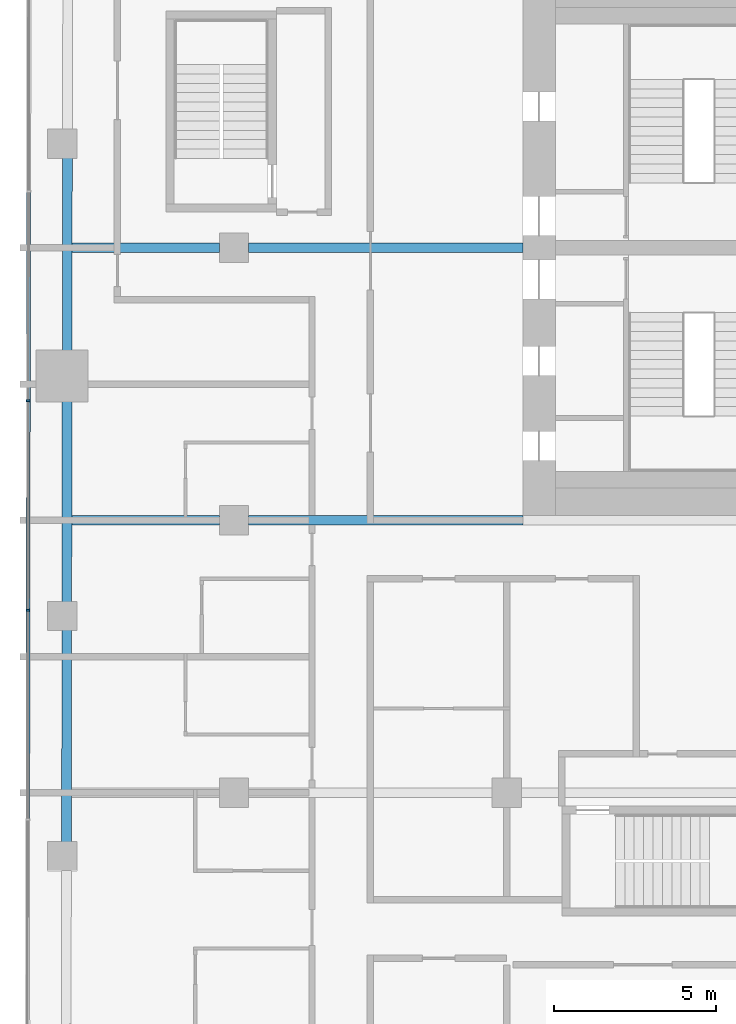
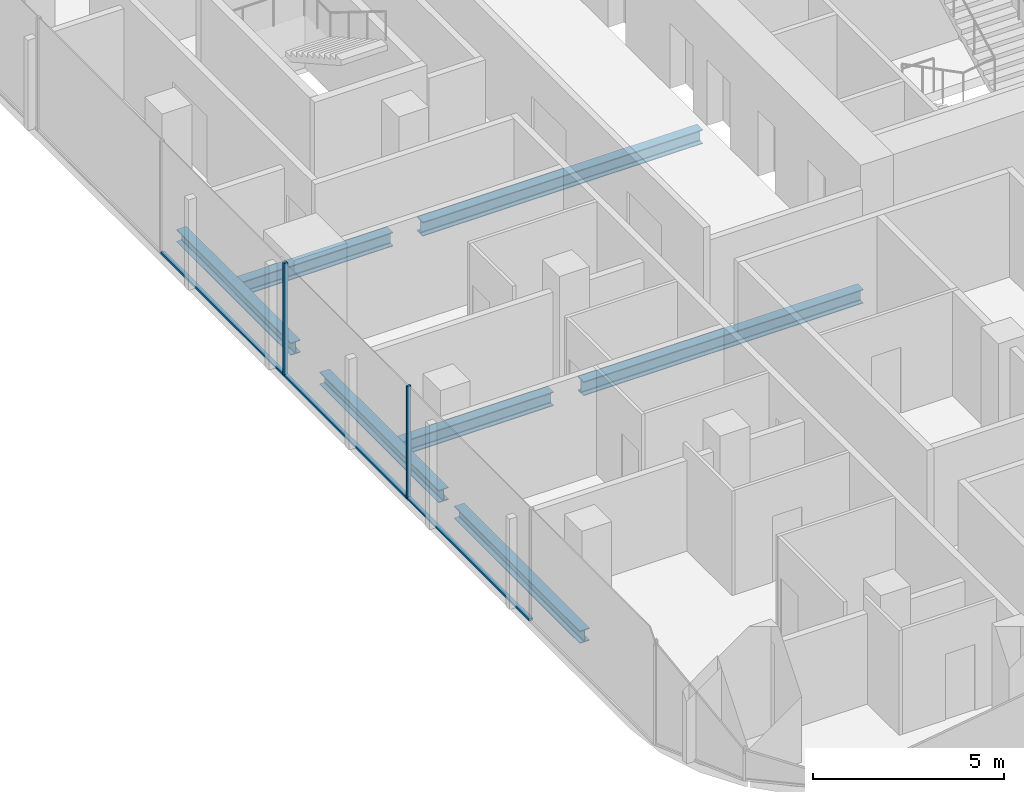
# One storey, part 4 of 23: 7 beams, 5 members, 1 element without a shape of its own.
"""IFC4 building model written with IfcOpenShell, lengths in metres."""

from ifc_helpers import new_model, si_unit, direction, frame, origin, origin_2d, place, context, subcontext, project, spatial, rectangle, i_section, extrude, material, layer, layer_set, material_profile, profile_set, type_object, element, aggregate, save


model = new_model("IFC4")

# Units and contexts
model_context = context("Model", 3, precision=1e-05, world=origin(), true_north=direction((0.0, 1.0)))
body_context = subcontext(model_context, "Body", "Model", "MODEL_VIEW")
ifc_project = project(units=[si_unit("LENGTHUNIT", "METRE"), si_unit("AREAUNIT", "SQUARE_METRE"), si_unit("VOLUMEUNIT", "CUBIC_METRE"), si_unit("PLANEANGLEUNIT", "RADIAN"), si_unit("MASSUNIT", "GRAM", prefix="KILO")], contexts=[model_context])

# Site, building, storey
site_placement = place(None, origin())
site = spatial("IfcSite", under=ifc_project, at=site_placement, CompositionType="ELEMENT")
building_placement = place(site_placement, origin())
building = spatial("IfcBuilding", under=site, at=building_placement, Name="Marenta Gate Hotel Tower", CompositionType="ELEMENT")
storey_placement = place(building_placement, frame((0.0, 0.0, 140.89990234375)))
storey = spatial("IfcBuildingStorey", under=building, at=storey_placement, Name="L32", CompositionType="ELEMENT", Elevation=140.89990234375)

# Beams
ifc_material_1 = material(Name="Steel S355", Category="steel")
ifc_material_profile_1 = material_profile(ifc_material_1, i_section(OverallWidth=0.300048828125, OverallDepth=0.39990234375, WebThickness=0.013427734375, FlangeThickness=0.02392578125, FilletRadius=0.027099609375, at=origin_2d()), Name="HEB 400")
ifc_profile_set_1 = profile_set([ifc_material_profile_1], Name="Steel S355")
beam_type_1 = type_object("IfcBeamType", Name="Edge beam HEB 400", PredefinedType="SPANDREL", material=ifc_profile_set_1)
beam_1_placement = place(storey_placement, frame((-26.167236328125, -9.94189453125, -0.4599609375), z_axis=(0.001372605919, 0.999999057976, 0.0), x_axis=(-0.999999057976, 0.001372605919, 0.0)))
element("IfcBeam", 1, at=beam_1_placement, inside=storey, type_object=beam_type_1, Name="L32-EB-6", PredefinedType="SPANDREL", context=body_context, shape_type="SweptSolid", body=[
    extrude(i_section(OverallWidth=0.300048828125, OverallDepth=0.39990234375, WebThickness=0.013427734375, FlangeThickness=0.02392578125, FilletRadius=0.027099609375, at=origin_2d()), origin(), (0.0, 0.0, 1.0), 6.5810546875),
])
beam_2_placement = place(storey_placement, frame((-26.156982421875, -2.541015625, -0.4599609375), z_axis=(0.001371364591, 0.999999059679, 0.0), x_axis=(-0.999999059679, 0.001371364591, 0.0)))
element("IfcBeam", 2, at=beam_2_placement, inside=storey, type_object=beam_type_1, Name="L32-EB-7", PredefinedType="SPANDREL", context=body_context, shape_type="SweptSolid", body=[
    extrude(i_section(OverallWidth=0.300048828125, OverallDepth=0.39990234375, WebThickness=0.013427734375, FlangeThickness=0.02392578125, FilletRadius=0.027099609375, at=origin_2d()), origin(), (0.0, 0.0, 1.0), 6.23095703125),
])
beam_3_placement = place(storey_placement, frame((-26.146484375, 5.2099609375, -0.4599609375), z_axis=(0.001387357379, 0.999999037619, 0.0), x_axis=(-0.999999037619, 0.001387357379, 0.0)))
element("IfcBeam", 3, at=beam_3_placement, inside=storey, type_object=beam_type_1, Name="L32-EB-8", PredefinedType="SPANDREL", context=body_context, shape_type="SweptSolid", body=[
    extrude(i_section(OverallWidth=0.300048828125, OverallDepth=0.39990234375, WebThickness=0.013427734375, FlangeThickness=0.02392578125, FilletRadius=0.027099609375, at=origin_2d()), origin(), (0.0, 0.0, 1.0), 5.983154296875),
])
ifc_material_2 = material(Name="Steel S355", Category="steel")
ifc_material_profile_2 = material_profile(ifc_material_2, i_section(OverallWidth=0.300048828125, OverallDepth=0.449951171875, WebThickness=0.013916015625, FlangeThickness=0.02587890625, FilletRadius=0.027099609375, at=origin_2d()), Name="HEB 450")
ifc_profile_set_2 = profile_set([ifc_material_profile_2], Name="Steel S355")
beam_type_2 = type_object("IfcBeamType", Name="Girder HEB 450", PredefinedType="BEAM", material=ifc_profile_set_2)
beam_4_placement = place(storey_placement, frame((-26.003662109375, 0.0, -0.48486328125), z_axis=(1.0, 0.0, 0.0), x_axis=(0.0, 1.0, 0.0)))
element("IfcBeam", 4, at=beam_4_placement, inside=storey, type_object=beam_type_2, Name="L32-GD-15", PredefinedType="BEAM", context=body_context, shape_type="SweptSolid", body=[
    extrude(i_section(OverallWidth=0.300048828125, OverallDepth=0.449951171875, WebThickness=0.013916015625, FlangeThickness=0.02587890625, FilletRadius=0.027099609375, at=origin_2d()), origin(), (0.0, 0.0, 1.0), 4.5537109375),
])
beam_5_placement = place(storey_placement, frame((-20.550048828125, 0.0, -0.48486328125), z_axis=(1.0, 0.0, 0.0), x_axis=(0.0, 1.0, 0.0)))
element("IfcBeam", 5, at=beam_5_placement, inside=storey, type_object=beam_type_2, Name="L32-GD-16", PredefinedType="BEAM", context=body_context, shape_type="SweptSolid", body=[
    extrude(i_section(OverallWidth=0.300048828125, OverallDepth=0.449951171875, WebThickness=0.013916015625, FlangeThickness=0.02587890625, FilletRadius=0.027099609375, at=origin_2d()), origin(), (0.0, 0.0, 1.0), 8.449951171875),
])
beam_6_placement = place(storey_placement, frame((-25.991943359375, 8.39990234375, -0.48486328125), z_axis=(1.0, 0.0, 0.0), x_axis=(0.0, 1.0, 0.0)))
element("IfcBeam", 6, at=beam_6_placement, inside=storey, type_object=beam_type_2, Name="L32-GD-20", PredefinedType="BEAM", context=body_context, shape_type="SweptSolid", body=[
    extrude(i_section(OverallWidth=0.300048828125, OverallDepth=0.449951171875, WebThickness=0.013916015625, FlangeThickness=0.02587890625, FilletRadius=0.027099609375, at=origin_2d()), origin(), (0.0, 0.0, 1.0), 4.5419921875),
])
beam_7_placement = place(storey_placement, frame((-20.550048828125, 8.39990234375, -0.48486328125), z_axis=(1.0, 0.0, 0.0), x_axis=(0.0, 1.0, 0.0)))
element("IfcBeam", 7, at=beam_7_placement, inside=storey, type_object=beam_type_2, Name="L32-GD-21", PredefinedType="BEAM", context=body_context, shape_type="SweptSolid", body=[
    extrude(i_section(OverallWidth=0.300048828125, OverallDepth=0.449951171875, WebThickness=0.013916015625, FlangeThickness=0.02587890625, FilletRadius=0.027099609375, at=origin_2d()), origin(), (0.0, 0.0, 1.0), 8.449951171875),
])

# Curtain wall, members
ifc_material_3 = material(Name="Tinted insulated glass in bronze anodised frame", Category="glass")
ifc_layer = layer(ifc_material_3, 0.1201171875)
ifc_layer_set = layer_set([ifc_layer], Name="Tinted insulated glass in bronze anodised frame")
curtain_wall_type = type_object("IfcCurtainWallType", Name="Tower unitised curtain wall CW1", PredefinedType="NOTDEFINED", material=ifc_layer_set)
curtain_wall_placement = place(storey_placement, origin())
curtain_wall = element("IfcCurtainWall", 8, at=curtain_wall_placement, inside=storey, type_object=curtain_wall_type, Name="CW1 run G03", PredefinedType="NOTDEFINED")
ifc_material_4 = material(Name="Bronze anodised aluminium", Category="aluminium")
ifc_material_profile_3 = material_profile(ifc_material_4, rectangle(XDim=0.1201171875, YDim=0.06005859375, at=origin_2d()), Name="Mullion CW1 60x120 bronze anodised aluminium")
ifc_profile_set_3 = profile_set([ifc_material_profile_3], Name="Bronze anodised aluminium")
member_type_1 = type_object("IfcMemberType", Name="Mullion CW1 60x120 bronze anodised aluminium", PredefinedType="MULLION", material=ifc_profile_set_3)
member_1_placement = place(storey_placement, frame((-27.342529296875, 3.686279296875, 0.0), z_axis=(0.0, 0.0, 1.0), x_axis=(0.99999877375, -0.001566045546, 0.0)))
member_1 = element("IfcMember", 9, at=member_1_placement, type_object=member_type_1, Name="CW1 mullion 4", PredefinedType="MULLION", context=body_context, shape_type="SweptSolid", body=[
    extrude(rectangle(XDim=0.1201171875, YDim=0.06005859375, at=origin_2d()), origin(), (0.0, 0.0, 1.0), 3.60009765625),
])
member_2_placement = place(storey_placement, frame((-27.352783203125, -2.773681640625, 0.0), z_axis=(0.0, 0.0, 1.0), x_axis=(0.99999877375, -0.001566045546, 0.0)))
member_2 = element("IfcMember", 10, at=member_2_placement, type_object=member_type_1, Name="CW1 mullion 5", PredefinedType="MULLION", context=body_context, shape_type="SweptSolid", body=[
    extrude(rectangle(XDim=0.1201171875, YDim=0.06005859375, at=origin_2d()), origin(), (0.0, 0.0, 1.0), 3.60009765625),
])
ifc_material_5 = material(Name="Bronze anodised aluminium", Category="aluminium")
ifc_material_profile_4 = material_profile(ifc_material_5, rectangle(XDim=0.1201171875, YDim=0.06005859375, at=origin_2d()), Name="Transom CW1 60x120 bronze anodised aluminium")
ifc_profile_set_4 = profile_set([ifc_material_profile_4], Name="Bronze anodised aluminium")
member_type_2 = type_object("IfcMemberType", Name="Transom CW1 60x120 bronze anodised aluminium", PredefinedType="USERDEFINED", material=ifc_profile_set_4)
member_3_placement = place(storey_placement, frame((-27.33251953125, 10.1162109375, 0.030029296875), z_axis=(-0.001564047831, -0.999998776876, 0.0), x_axis=(0.999998776876, -0.001564047831, 0.0)))
member_3 = element("IfcMember", 11, at=member_3_placement, type_object=member_type_2, Name="CW1 transom 3.1", ObjectType="TRANSOM", PredefinedType="USERDEFINED", context=body_context, shape_type="SweptSolid", body=[
    extrude(rectangle(XDim=0.1201171875, YDim=0.06005859375, at=origin_2d()), origin(), (0.0, 0.0, 1.0), 6.39990234375),
])
member_4_placement = place(storey_placement, frame((-27.3427734375, 3.65625, 0.030029296875), z_axis=(-0.001563988169, -0.99999877697, 0.0), x_axis=(0.99999877697, -0.001563988169, 0.0)))
member_4 = element("IfcMember", 12, at=member_4_placement, type_object=member_type_2, Name="CW1 transom 4.1", ObjectType="TRANSOM", PredefinedType="USERDEFINED", context=body_context, shape_type="SweptSolid", body=[
    extrude(rectangle(XDim=0.1201171875, YDim=0.06005859375, at=origin_2d()), origin(), (0.0, 0.0, 1.0), 6.400146484375),
])
member_5_placement = place(storey_placement, frame((-27.352783203125, -2.8037109375, 0.030029296875), z_axis=(-0.001563988169, -0.99999877697, 0.0), x_axis=(0.99999877697, -0.001563988169, 0.0)))
member_5 = element("IfcMember", 13, at=member_5_placement, type_object=member_type_2, Name="CW1 transom 5.1", ObjectType="TRANSOM", PredefinedType="USERDEFINED", context=body_context, shape_type="SweptSolid", body=[
    extrude(rectangle(XDim=0.1201171875, YDim=0.06005859375, at=origin_2d()), origin(), (0.0, 0.0, 1.0), 6.400146484375),
])
aggregate(curtain_wall, [member_1, member_2, member_3, member_4, member_5])

save(model, "model.ifc")
